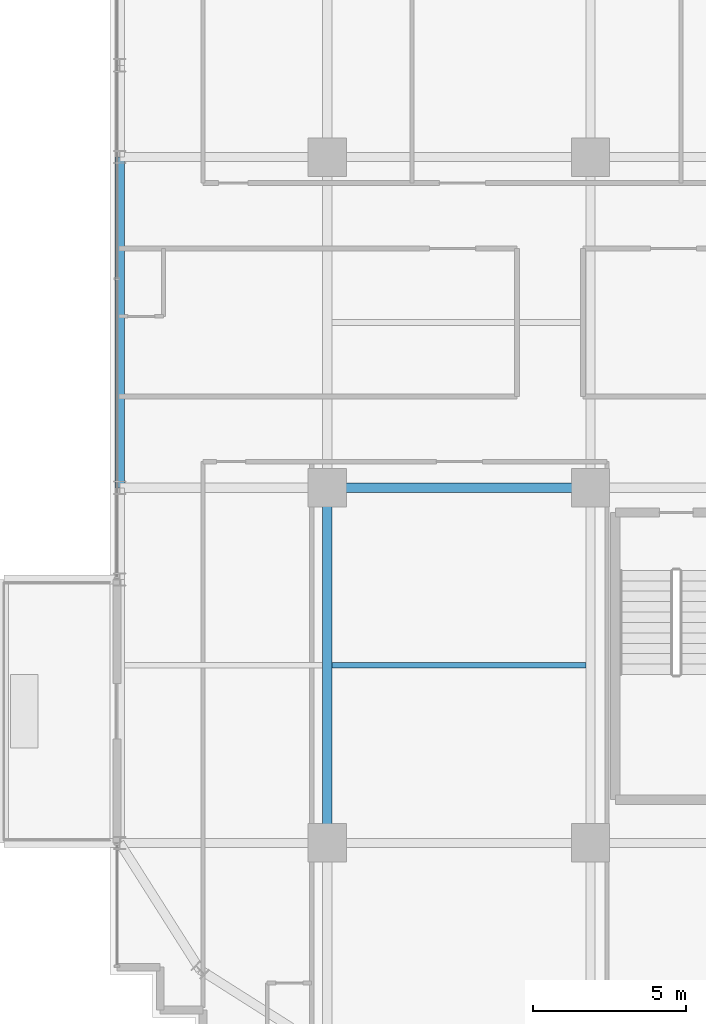
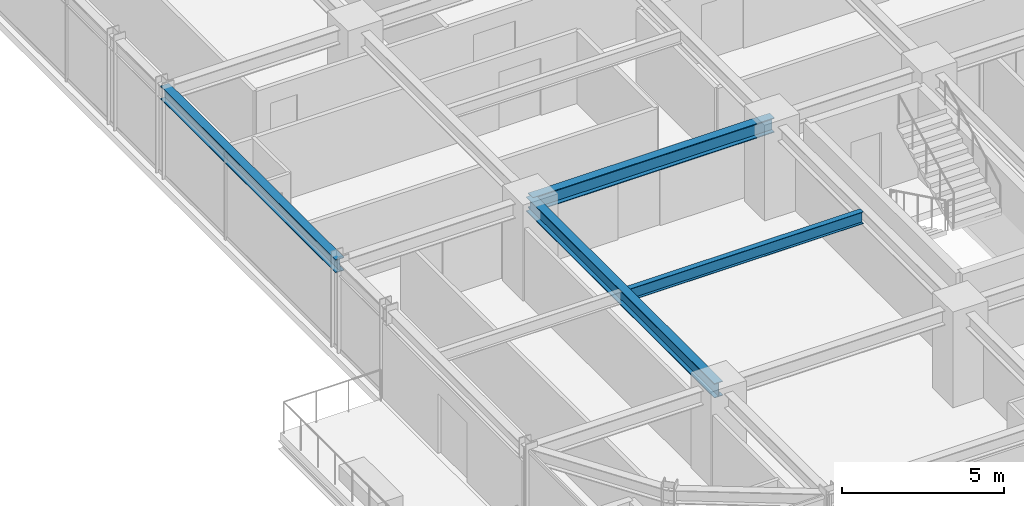
# One storey, part 8 of 32: 4 beams.
"""IFC4 building model written with IfcOpenShell, lengths in metres."""

from ifc_helpers import new_model, si_unit, direction, frame, origin, origin_2d, place, context, subcontext, project, spatial, i_section, extrude, source, transform, mapped, material, material_profile, profile_set, type_object, element, save


model = new_model("IFC4")

# Units and contexts
model_context = context("Model", 3, precision=1e-05, world=origin(), true_north=direction((0.0, 1.0)))
body_context = subcontext(model_context, "Body", "Model", "MODEL_VIEW")
ifc_project = project(units=[si_unit("LENGTHUNIT", "METRE"), si_unit("AREAUNIT", "SQUARE_METRE"), si_unit("VOLUMEUNIT", "CUBIC_METRE"), si_unit("PLANEANGLEUNIT", "RADIAN"), si_unit("MASSUNIT", "GRAM", prefix="KILO")], contexts=[model_context])

# Site, building, storey
site_placement = place(None, origin())
site = spatial("IfcSite", under=ifc_project, at=site_placement, CompositionType="ELEMENT")
building_placement = place(site_placement, origin())
building = spatial("IfcBuilding", under=site, at=building_placement, Name="Nahalor Promenade Grand Hotel", CompositionType="ELEMENT")
storey_placement = place(building_placement, frame((0.0, 0.0, 110.199951171875)))
storey = spatial("IfcBuildingStorey", under=building, at=storey_placement, Name="L27", CompositionType="ELEMENT", Elevation=110.199951171875)

# Beams
ifc_material = material(Name="Steel S355JR", Category="steel")
ifc_material_profile_1 = material_profile(ifc_material, i_section(OverallWidth=0.3, OverallDepth=0.5, WebThickness=0.0145, FlangeThickness=0.028, at=origin_2d()), Name="HEB 500")
ifc_profile_set_1 = profile_set([ifc_material_profile_1], Name="Steel S355JR")
beam_type_1 = type_object("IfcBeamType", Name="Beam-Spandrel-HEB500", PredefinedType="SPANDREL", material=ifc_profile_set_1)
shared_shape_1 = source(origin(), body_context, "Body", "SweptSolid", [
    extrude(i_section(OverallWidth=0.3, OverallDepth=0.5, WebThickness=0.0145, FlangeThickness=0.028, at=origin_2d()), origin(), (0.0, 0.0, 1.0), 10.7998046875),
])
beam_1_placement = place(storey_placement, frame((-23.780029296875, -5.39990234375, 3.130126953125), z_axis=(0.0, 1.0, 0.0), x_axis=(-1.0, 0.0, 0.0)))
element("IfcBeam", 1, at=beam_1_placement, inside=storey, type_object=beam_type_1, Name="BM-L27-SP-W-2", PredefinedType="SPANDREL", context=body_context, shape_type="MappedRepresentation", body=[
    mapped(shared_shape_1, transform((0.0, 0.0, 0.0), scale=1.0)),
])
ifc_material_profile_2 = material_profile(ifc_material, i_section(OverallWidth=0.3, OverallDepth=0.55, WebThickness=0.015, FlangeThickness=0.029, at=origin_2d()), Name="HEB 550")
ifc_profile_set_2 = profile_set([ifc_material_profile_2], Name="Steel S355JR")
beam_type_2 = type_object("IfcBeamType", Name="Beam-Girder-HEB550", PredefinedType="BEAM", material=ifc_profile_set_2)
shared_shape_2 = source(origin(), body_context, "Body", "SweptSolid", [
    extrude(i_section(OverallWidth=0.3, OverallDepth=0.55, WebThickness=0.015, FlangeThickness=0.029, at=origin_2d()), origin(), (0.0, 0.0, 1.0), 8.60009765625),
])
beam_2_placement = place(storey_placement, frame((-17.0, -5.39990234375, 3.10498046875), z_axis=(1.0, 0.0, 0.0), x_axis=(0.0, 1.0, 0.0)))
element("IfcBeam", 2, at=beam_2_placement, inside=storey, type_object=beam_type_2, Name="BM-L27-GX-1-1", PredefinedType="BEAM", context=body_context, shape_type="MappedRepresentation", body=[
    mapped(shared_shape_2, transform((0.0, 0.0, 0.0), scale=1.0)),
])
shared_shape_3 = source(origin(), body_context, "Body", "SweptSolid", [
    extrude(i_section(OverallWidth=0.3, OverallDepth=0.55, WebThickness=0.015, FlangeThickness=0.029, at=origin_2d()), origin(), (0.0, 0.0, 1.0), 11.60009765625),
])
beam_3_placement = place(storey_placement, frame((-17.0, -17.0, 3.10498046875), z_axis=(0.0, 1.0, 0.0), x_axis=(-1.0, 0.0, 0.0)))
element("IfcBeam", 3, at=beam_3_placement, inside=storey, type_object=beam_type_2, Name="BM-L27-GY-0-1", PredefinedType="BEAM", context=body_context, shape_type="MappedRepresentation", body=[
    mapped(shared_shape_3, transform((0.0, 0.0, 0.0), scale=1.0)),
])
ifc_material_profile_3 = material_profile(ifc_material, i_section(OverallWidth=0.19, OverallDepth=0.45, WebThickness=0.0094, FlangeThickness=0.0146, at=origin_2d()), Name="IPE 450")
ifc_profile_set_3 = profile_set([ifc_material_profile_3], Name="Steel S355JR")
beam_type_3 = type_object("IfcBeamType", Name="Beam-Joist-IPE450", PredefinedType="JOIST", material=ifc_profile_set_3)
shared_shape_4 = source(origin(), body_context, "Body", "SweptSolid", [
    extrude(i_section(OverallWidth=0.19, OverallDepth=0.45, WebThickness=0.0094, FlangeThickness=0.0146, at=origin_2d()), origin(), (0.0, 0.0, 1.0), 8.300048828125),
])
beam_4_placement = place(storey_placement, frame((-16.85009765625, -11.199951171875, 3.155029296875), z_axis=(1.0, 0.0, 0.0), x_axis=(0.0, 1.0, 0.0)))
element("IfcBeam", 4, at=beam_4_placement, inside=storey, type_object=beam_type_3, Name="BM-L27-JSW-0-1", PredefinedType="JOIST", context=body_context, shape_type="MappedRepresentation", body=[
    mapped(shared_shape_4, transform((0.0, 0.0, 0.0), scale=1.0)),
])

save(model, "model.ifc")
